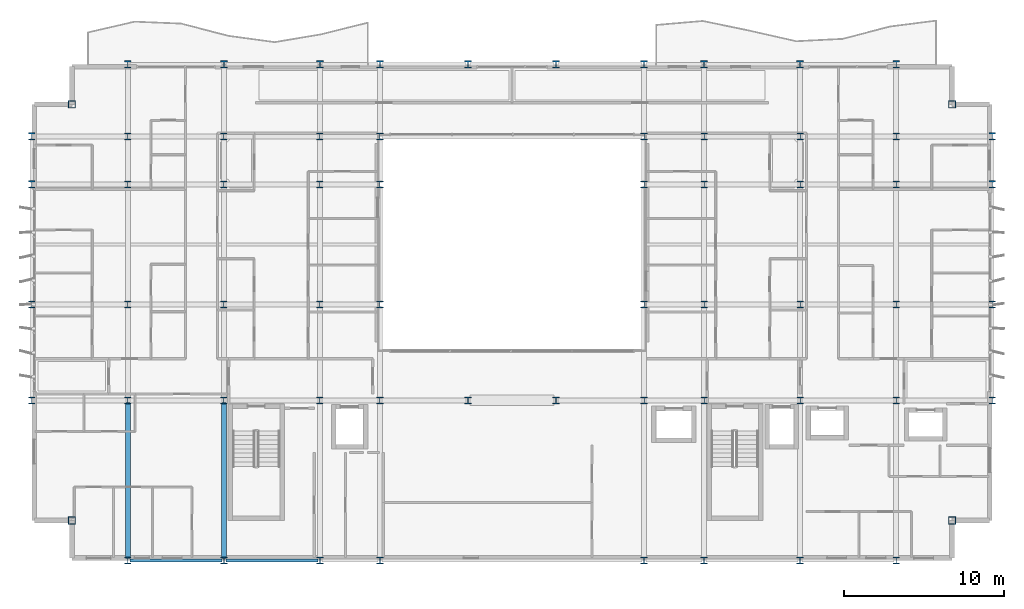
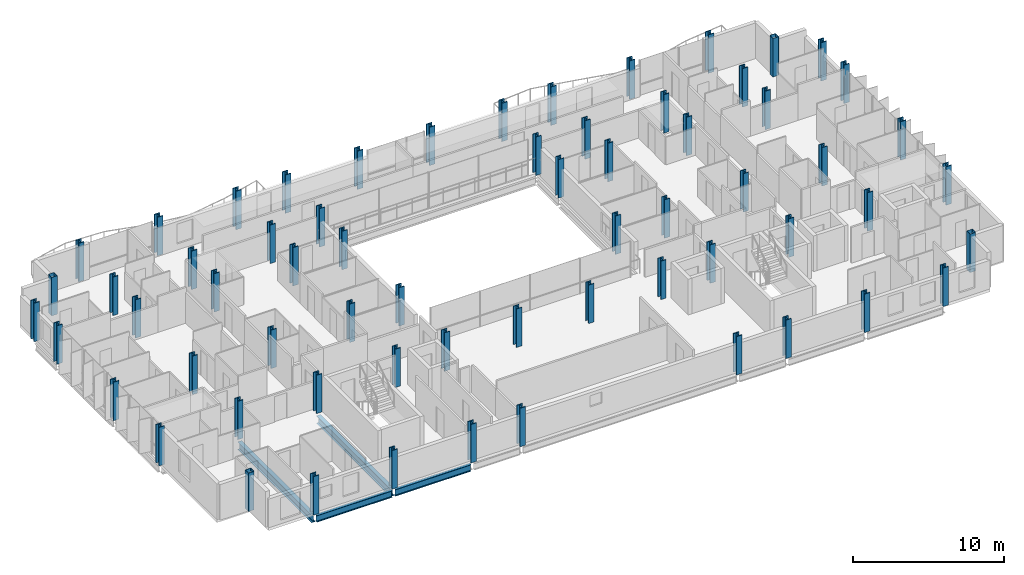
# One storey, part 1 of 38: 64 columns, 4 beams.
"""IFC4 building model written with IfcOpenShell, lengths in metres."""

import ifcopenshell
import ifcopenshell.guid

model = None  # the IFC model being written
_history = None  # IfcOwnerHistory: only IFC2X3 demands one
_inside = {}  # id of a spatial element -> (the spatial element, [elements in it])
_under = {}  # id of a project, library or spatial element -> (it, [spatial elements below it])
_declared = {}  # id of a project -> (the project, [libraries it declares])
_typed = {}  # id of a type object -> (the type object, [elements of that type])
_made_of = {}  # id of a material, layer set ... -> (it, [elements and type objects made of it])


def new_model(schema):
    """Start an empty IFC model of exactly this schema.

    Asked for "IFC4X3", IfcOpenShell would pick the latest addendum, in which some entities
    have other attributes; the version numbers below select the first issue.
    IFC2X3 requires an IfcOwnerHistory on every rooted entity: one is made here for all.
    """
    global model, _history
    if schema == "IFC4X3":
        model = ifcopenshell.file(schema_version=(4, 3, 0, 0))
    else:
        model = ifcopenshell.file(schema=schema)
    _inside.clear()
    _under.clear()
    _declared.clear()
    _typed.clear()
    _made_of.clear()
    _history = None
    if model.schema == "IFC2X3":
        org = make("IfcOrganization", Name="unknown")
        user = make(
            "IfcPersonAndOrganization",
            ThePerson=make("IfcPerson", FamilyName="unknown"),
            TheOrganization=org,
        )
        app = make(
            "IfcApplication",
            ApplicationDeveloper=org,
            Version="unknown",
            ApplicationFullName="unknown",
            ApplicationIdentifier="unknown",
        )
        _history = make(
            "IfcOwnerHistory",
            OwningUser=user,
            OwningApplication=app,
            ChangeAction="ADDED",
            CreationDate=0,
        )
    return model


def make(cls, **values):
    """One entity of the class cls with the attributes given. An attribute that is None is left unset."""
    return model.create_entity(
        cls, **{name: value for name, value in values.items() if value is not None}
    )


def rooted(cls, **values):
    """An entity with a GlobalId (a new one), such as an element, a storey or a relation."""
    return make(cls, GlobalId=ifcopenshell.guid.new(), OwnerHistory=_history, **values)


def si_unit(unit_type, name, prefix=None):
    """IfcSIUnit, for example si_unit("LENGTHUNIT", "METRE", prefix="MILLI")."""
    return make("IfcSIUnit", UnitType=unit_type, Prefix=prefix, Name=name)


def assignment(units):
    """IfcUnitAssignment: the units of a project."""
    return None if units is None else make("IfcUnitAssignment", Units=units)


def point(xyz):
    """IfcCartesianPoint."""
    return None if xyz is None else make("IfcCartesianPoint", Coordinates=xyz)


def direction(xyz):
    """IfcDirection."""
    return None if xyz is None else make("IfcDirection", DirectionRatios=xyz)


def frame(location, z_axis=None, x_axis=None):
    """IfcAxis2Placement3D, a coordinate frame: its origin and axes. An axis left out is left unset."""
    return make(
        "IfcAxis2Placement3D",
        Location=point(location),
        Axis=direction(z_axis),
        RefDirection=direction(x_axis),
    )


def frame_2d(location, x_axis=None):
    """IfcAxis2Placement2D, a coordinate frame in the plane: its origin and x axis."""
    return make(
        "IfcAxis2Placement2D", Location=point(location), RefDirection=direction(x_axis)
    )


def origin():
    """The frame at (0, 0, 0) with its axes left unset."""
    return frame((0.0, 0.0, 0.0))


def origin_2d():
    """The frame at (0, 0) in the plane with its x axis left unset."""
    return frame_2d((0.0, 0.0))


def place(relative_to, where):
    """IfcLocalPlacement: puts the frame where relative to a parent placement (None: the world)."""
    return make(
        "IfcLocalPlacement", PlacementRelTo=relative_to, RelativePlacement=where
    )


def context(
    kind, dimensions, precision=None, world=None, true_north=None, identifier=None
):
    """IfcGeometricRepresentationContext, for example the 3D "Model" context."""
    return make(
        "IfcGeometricRepresentationContext",
        ContextIdentifier=identifier,
        ContextType=kind,
        CoordinateSpaceDimension=dimensions,
        Precision=precision,
        WorldCoordinateSystem=world,
        TrueNorth=true_north,
    )


def subcontext(parent, identifier, kind, view, scale=None):
    """IfcGeometricRepresentationSubContext, for example "Body" below "Model"."""
    return make(
        "IfcGeometricRepresentationSubContext",
        ContextIdentifier=identifier,
        ContextType=kind,
        ParentContext=parent,
        TargetScale=scale,
        TargetView=view,
    )


def project(units=None, contexts=None):
    """IfcProject with its units and contexts."""
    return rooted(
        "IfcProject",
        Name="project",
        RepresentationContexts=contexts,
        UnitsInContext=assignment(units),
    )


def spatial(cls, under=None, at=None, **own):
    """A site, building, storey or space (cls), placed at a placement, below another one or the project."""
    s = rooted(cls, ObjectPlacement=at, **own)
    if under is not None:
        _under.setdefault(under.id(), (under, []))[1].append(s)
    return s


def profile(cls, at=None, kind="AREA", **sizes):
    """A parametric profile (cls). Its sizes go by their IFC names, for example OverallWidth=200.0."""
    return make(cls, ProfileType=kind, Position=at, **sizes)


def hollow_rectangle(**sizes):
    """IfcRectangleHollowProfileDef."""
    return profile("IfcRectangleHollowProfileDef", **sizes)


def i_section(**sizes):
    """IfcIShapeProfileDef."""
    return profile("IfcIShapeProfileDef", **sizes)


def extrude(swept, where, along, depth):
    """IfcExtrudedAreaSolid: the profile swept, set in the frame where, extruded along a direction by depth."""
    return make(
        "IfcExtrudedAreaSolid",
        SweptArea=swept,
        Position=where,
        ExtrudedDirection=direction(along),
        Depth=depth,
    )


def shape(context_of_items, identifier, shape_type, items):
    """IfcShapeRepresentation: the items that make up one representation, for example the "Body"."""
    return make(
        "IfcShapeRepresentation",
        ContextOfItems=context_of_items,
        RepresentationIdentifier=identifier,
        RepresentationType=shape_type,
        Items=items,
    )


def material(Name=None, Category=None):
    """IfcMaterial."""
    return make("IfcMaterial", Name=Name, Category=Category)


def material_profile(
    of_material, cross_section, Name=None, Category=None, Priority=None
):
    """IfcMaterialProfile: a cross section and its material."""
    return make(
        "IfcMaterialProfile",
        Name=Name,
        Material=of_material,
        Profile=cross_section,
        Priority=Priority,
        Category=Category,
    )


def profile_set(profiles, Name=None, composite=None):
    """IfcMaterialProfileSet."""
    return make(
        "IfcMaterialProfileSet",
        Name=Name,
        MaterialProfiles=profiles,
        CompositeProfile=composite,
    )


def made_of(thing, what):
    """Note that an element or type object is made of a material, layer set ...; save() writes the relation."""
    if what is not None:
        _made_of.setdefault(what.id(), (what, []))[1].append(thing)
    return thing


def type_object(cls, material=None, **own):
    """A type object (cls), such as IfcWallType, which elements share."""
    return made_of(rooted(cls, **own), material)


def element(
    cls,
    number,
    at=None,
    inside=None,
    cuts=None,
    type_object=None,
    material=None,
    context=None,
    identifier="Body",
    shape_type=None,
    held_by="IfcProductDefinitionShape",
    body=None,
    shapes=None,
    **own,
):
    """One element of the class cls, such as IfcWall. Its Tag is "e" and its number.

    at: its placement. inside: the storey or other place that contains it. cuts: it is an
    opening in that element (IfcRelVoidsElement). A single representation is given by context,
    identifier, shape_type and body (its items); several are given by shapes. held_by: the class
    of the entity that holds the representations. save() writes the other relations.
    """
    e = rooted(cls, Tag="e%d" % number, ObjectPlacement=at, **own)
    if body is not None:
        shapes = [shape(context, identifier, shape_type, body)]
    if shapes is not None:
        e.Representation = make(held_by, Representations=shapes)
    if inside is not None:
        _inside.setdefault(inside.id(), (inside, []))[1].append(e)
    if cuts is not None:
        rooted(
            "IfcRelVoidsElement", RelatingBuildingElement=cuts, RelatedOpeningElement=e
        )
    if type_object is not None:
        _typed.setdefault(type_object.id(), (type_object, []))[1].append(e)
    return made_of(e, material)


def aggregate(whole, parts):
    """IfcRelAggregates: a whole, such as a stair, and the parts it consists of."""
    return rooted("IfcRelAggregates", RelatingObject=whole, RelatedObjects=parts)


def save(model, path):
    """Write the relations noted so far, then the file.

    IfcRelAggregates (storeys below a building ...), IfcRelContainedInSpatialStructure (elements
    in a storey), IfcRelDefinesByType, IfcRelAssociatesMaterial and IfcRelDeclares: one each for
    every whole, place, type object, material and project.
    """
    for whole, parts in _under.values():
        aggregate(whole, parts)
    for where, things in _inside.values():
        rooted(
            "IfcRelContainedInSpatialStructure",
            RelatedElements=things,
            RelatingStructure=where,
        )
    for kind, things in _typed.values():
        rooted("IfcRelDefinesByType", RelatedObjects=things, RelatingType=kind)
    for what, things in _made_of.values():
        rooted("IfcRelAssociatesMaterial", RelatedObjects=things, RelatingMaterial=what)
    for by, libraries in _declared.values():
        rooted("IfcRelDeclares", RelatingContext=by, RelatedDefinitions=libraries)
    model.write(path)


model = new_model("IFC4")

# Units and contexts
model_context = context("Model", 3, precision=1e-05, world=origin(), true_north=direction((0.0, 1.0)))
body_context = subcontext(model_context, "Body", "Model", "MODEL_VIEW")
ifc_project = project(units=[si_unit("LENGTHUNIT", "METRE"), si_unit("AREAUNIT", "SQUARE_METRE"), si_unit("VOLUMEUNIT", "CUBIC_METRE"), si_unit("PLANEANGLEUNIT", "RADIAN"), si_unit("MASSUNIT", "GRAM", prefix="KILO")], contexts=[model_context])

# Site, building, storey
site_placement = place(None, origin())
site = spatial("IfcSite", under=ifc_project, at=site_placement, CompositionType="ELEMENT")
building_placement = place(site_placement, origin())
building = spatial("IfcBuilding", under=site, at=building_placement, Name="Brevholm Reach", CompositionType="ELEMENT")
storey_placement = place(building_placement, frame((0.0, 0.0, 71.39990234375)))
storey = spatial("IfcBuildingStorey", under=building, at=storey_placement, Name="L20", CompositionType="ELEMENT", Elevation=71.39990234375)

# Columns
ifc_material_1 = material(Name="Structural Steel S460NH", Category="steel")
ifc_material_profile_1 = material_profile(ifc_material_1, hollow_rectangle(XDim=0.449951171875, YDim=0.449951171875, WallThickness=0.02490234375, InnerFilletRadius=0.011962890625, OuterFilletRadius=0.02392578125, at=origin_2d()), Name="SHS 450x450x25")
ifc_profile_set_1 = profile_set([ifc_material_profile_1], Name="Structural Steel S460NH")
column_type_1 = type_object("IfcColumnType", Name="COL-SHS1", PredefinedType="COLUMN", material=ifc_profile_set_1)
for number, where, z_axis, x_axis, name in (
    (1, (2.5, 2.5, 0.0), (0.0, 0.0, 1.0), (1.0, 0.0, 0.0), "L20 Column 05"),
    (2, (2.5, 28.5, 0.0), (0.0, 0.0, 1.0), (1.0, 0.0, 0.0), "L20 Column 06"),
    (3, (57.5, 2.5, 0.0), (0.0, 0.0, 1.0), (1.0, 0.0, 0.0), "L20 Column 59"),
    (4, (57.5, 28.5, 0.0), (0.0, 0.0, 1.0), (1.0, 0.0, 0.0), "L20 Column 60"),
):
    element("IfcColumn", number, at=place(storey_placement, frame(where, z_axis=z_axis, x_axis=x_axis)), inside=storey, type_object=column_type_1, Name=name, PredefinedType="COLUMN", context=body_context, shape_type="SweptSolid", body=[
        extrude(hollow_rectangle(XDim=0.449951171875, YDim=0.449951171875, WallThickness=0.02490234375, InnerFilletRadius=0.011962890625, OuterFilletRadius=0.02392578125, at=origin_2d()), origin(), (0.0, 0.0, 1.0), 3.10009765625),
    ])
ifc_material_2 = material(Name="Structural Steel S460ML", Category="steel")
ifc_material_profile_2 = material_profile(ifc_material_2, i_section(OverallWidth=0.41845703125, OverallDepth=0.45556640625, WebThickness=0.0419921875, FlangeThickness=0.0673828125, FilletRadius=0.01513671875, at=origin_2d()), Name="UKC 356x406x551")
ifc_profile_set_2 = profile_set([ifc_material_profile_2], Name="Structural Steel S460ML")
column_type_2 = type_object("IfcColumnType", Name="COL-UC2", PredefinedType="COLUMN", material=ifc_profile_set_2)
for number, where, z_axis, x_axis, name in (
    (5, (0.0, 10.0, 0.0), (0.0, 0.0, 1.0), (1.0, 0.0, 0.0), "L20 Column 01"),
    (6, (0.0, 16.0, 0.0), (0.0, 0.0, 1.0), (1.0, 0.0, 0.0), "L20 Column 02"),
    (7, (0.0, 23.5, 0.0), (0.0, 0.0, 1.0), (1.0, 0.0, 0.0), "L20 Column 03"),
    (8, (0.0, 26.5, 0.0), (0.0, 0.0, 1.0), (1.0, 0.0, 0.0), "L20 Column 04"),
    (9, (6.0, 0.0, 0.0), (0.0, 0.0, 1.0), (1.0, 0.0, 0.0), "L20 Column 07"),
    (10, (6.0, 31.0, 0.0), (0.0, 0.0, 1.0), (1.0, 0.0, 0.0), "L20 Column 12"),
    (11, (12.0, 0.0, 0.0), (0.0, 0.0, 1.0), (1.0, 0.0, 0.0), "L20 Column 13"),
    (12, (12.0, 31.0, 0.0), (0.0, 0.0, 1.0), (1.0, 0.0, 0.0), "L20 Column 18"),
    (13, (18.0, 0.0, 0.0), (0.0, 0.0, 1.0), (1.0, 0.0, 0.0), "L20 Column 19"),
    (14, (18.0, 31.0, 0.0), (0.0, 0.0, 1.0), (1.0, 0.0, 0.0), "L20 Column 24"),
    (15, (21.75, 0.0, 0.0), (0.0, 0.0, 1.0), (1.0, 0.0, 0.0), "L20 Column 25"),
    (16, (21.75, 31.0, 0.0), (0.0, 0.0, 1.0), (1.0, 0.0, 0.0), "L20 Column 30"),
    (17, (27.25, 31.0, 0.0), (0.0, 0.0, 1.0), (1.0, 0.0, 0.0), "L20 Column 32"),
    (18, (32.75, 31.0, 0.0), (0.0, 0.0, 1.0), (1.0, 0.0, 0.0), "L20 Column 34"),
    (19, (38.25, 0.0, 0.0), (0.0, 0.0, 1.0), (1.0, 0.0, 0.0), "L20 Column 35"),
    (20, (38.25, 31.0, 0.0), (0.0, 0.0, 1.0), (1.0, 0.0, 0.0), "L20 Column 40"),
    (21, (42.0, 0.0, 0.0), (0.0, 0.0, 1.0), (1.0, 0.0, 0.0), "L20 Column 41"),
    (22, (42.0, 31.0, 0.0), (0.0, 0.0, 1.0), (1.0, 0.0, 0.0), "L20 Column 46"),
    (23, (48.0, 0.0, 0.0), (0.0, 0.0, 1.0), (1.0, 0.0, 0.0), "L20 Column 47"),
    (24, (48.0, 31.0, 0.0), (0.0, 0.0, 1.0), (1.0, 0.0, 0.0), "L20 Column 52"),
    (25, (54.0, 0.0, 0.0), (0.0, 0.0, 1.0), (1.0, 0.0, 0.0), "L20 Column 53"),
    (26, (54.0, 31.0, 0.0), (0.0, 0.0, 1.0), (1.0, 0.0, 0.0), "L20 Column 58"),
    (27, (60.0, 10.0, 0.0), (0.0, 0.0, 1.0), (1.0, 0.0, 0.0), "L20 Column 61"),
    (28, (60.0, 16.0, 0.0), (0.0, 0.0, 1.0), (1.0, 0.0, 0.0), "L20 Column 62"),
    (29, (60.0, 23.5, 0.0), (0.0, 0.0, 1.0), (1.0, 0.0, 0.0), "L20 Column 63"),
    (30, (60.0, 26.5, 0.0), (0.0, 0.0, 1.0), (1.0, 0.0, 0.0), "L20 Column 64"),
):
    element("IfcColumn", number, at=place(storey_placement, frame(where, z_axis=z_axis, x_axis=x_axis)), inside=storey, type_object=column_type_2, Name=name, PredefinedType="COLUMN", context=body_context, shape_type="SweptSolid", body=[
        extrude(i_section(OverallWidth=0.41845703125, OverallDepth=0.45556640625, WebThickness=0.0419921875, FlangeThickness=0.0673828125, FilletRadius=0.01513671875, at=origin_2d()), origin(), (0.0, 0.0, 1.0), 3.10009765625),
    ])
ifc_material_3 = material(Name="Structural Steel S460ML", Category="steel")
ifc_material_profile_3 = material_profile(ifc_material_3, i_section(OverallWidth=0.412109375, OverallDepth=0.4365234375, WebThickness=0.035888671875, FlangeThickness=0.05810546875, FilletRadius=0.01513671875, at=origin_2d()), Name="UKC 356x406x467")
ifc_profile_set_3 = profile_set([ifc_material_profile_3], Name="Structural Steel S460ML")
column_type_3 = type_object("IfcColumnType", Name="COL-UC3", PredefinedType="COLUMN", material=ifc_profile_set_3)
for number, where, z_axis, x_axis, name in (
    (31, (6.0, 10.0, 0.0), (0.0, 0.0, 1.0), (1.0, 0.0, 0.0), "L20 Column 08"),
    (32, (6.0, 16.0, 0.0), (0.0, 0.0, 1.0), (1.0, 0.0, 0.0), "L20 Column 09"),
    (33, (6.0, 23.5, 0.0), (0.0, 0.0, 1.0), (1.0, 0.0, 0.0), "L20 Column 10"),
    (34, (6.0, 26.5, 0.0), (0.0, 0.0, 1.0), (1.0, 0.0, 0.0), "L20 Column 11"),
    (35, (12.0, 10.0, 0.0), (0.0, 0.0, 1.0), (1.0, 0.0, 0.0), "L20 Column 14"),
    (36, (12.0, 16.0, 0.0), (0.0, 0.0, 1.0), (1.0, 0.0, 0.0), "L20 Column 15"),
    (37, (12.0, 23.5, 0.0), (0.0, 0.0, 1.0), (1.0, 0.0, 0.0), "L20 Column 16"),
    (38, (12.0, 26.5, 0.0), (0.0, 0.0, 1.0), (1.0, 0.0, 0.0), "L20 Column 17"),
    (39, (18.0, 10.0, 0.0), (0.0, 0.0, 1.0), (1.0, 0.0, 0.0), "L20 Column 20"),
    (40, (18.0, 16.0, 0.0), (0.0, 0.0, 1.0), (1.0, 0.0, 0.0), "L20 Column 21"),
    (41, (18.0, 23.5, 0.0), (0.0, 0.0, 1.0), (1.0, 0.0, 0.0), "L20 Column 22"),
    (42, (18.0, 26.5, 0.0), (0.0, 0.0, 1.0), (1.0, 0.0, 0.0), "L20 Column 23"),
    (43, (21.75, 10.0, 0.0), (0.0, 0.0, 1.0), (1.0, 0.0, 0.0), "L20 Column 26"),
    (44, (21.75, 16.0, 0.0), (0.0, 0.0, 1.0), (1.0, 0.0, 0.0), "L20 Column 27"),
    (45, (21.75, 23.5, 0.0), (0.0, 0.0, 1.0), (1.0, 0.0, 0.0), "L20 Column 28"),
    (46, (21.75, 26.5, 0.0), (0.0, 0.0, 1.0), (1.0, 0.0, 0.0), "L20 Column 29"),
    (47, (27.25, 10.0, 0.0), (0.0, 0.0, 1.0), (1.0, 0.0, 0.0), "L20 Column 31"),
    (48, (32.75, 10.0, 0.0), (0.0, 0.0, 1.0), (1.0, 0.0, 0.0), "L20 Column 33"),
    (49, (38.25, 10.0, 0.0), (0.0, 0.0, 1.0), (1.0, 0.0, 0.0), "L20 Column 36"),
    (50, (38.25, 16.0, 0.0), (0.0, 0.0, 1.0), (1.0, 0.0, 0.0), "L20 Column 37"),
    (51, (38.25, 23.5, 0.0), (0.0, 0.0, 1.0), (1.0, 0.0, 0.0), "L20 Column 38"),
    (52, (38.25, 26.5, 0.0), (0.0, 0.0, 1.0), (1.0, 0.0, 0.0), "L20 Column 39"),
    (53, (42.0, 10.0, 0.0), (0.0, 0.0, 1.0), (1.0, 0.0, 0.0), "L20 Column 42"),
    (54, (42.0, 16.0, 0.0), (0.0, 0.0, 1.0), (1.0, 0.0, 0.0), "L20 Column 43"),
    (55, (42.0, 23.5, 0.0), (0.0, 0.0, 1.0), (1.0, 0.0, 0.0), "L20 Column 44"),
    (56, (42.0, 26.5, 0.0), (0.0, 0.0, 1.0), (1.0, 0.0, 0.0), "L20 Column 45"),
    (57, (48.0, 10.0, 0.0), (0.0, 0.0, 1.0), (1.0, 0.0, 0.0), "L20 Column 48"),
    (58, (48.0, 16.0, 0.0), (0.0, 0.0, 1.0), (1.0, 0.0, 0.0), "L20 Column 49"),
    (59, (48.0, 23.5, 0.0), (0.0, 0.0, 1.0), (1.0, 0.0, 0.0), "L20 Column 50"),
    (60, (48.0, 26.5, 0.0), (0.0, 0.0, 1.0), (1.0, 0.0, 0.0), "L20 Column 51"),
    (61, (54.0, 10.0, 0.0), (0.0, 0.0, 1.0), (1.0, 0.0, 0.0), "L20 Column 54"),
    (62, (54.0, 16.0, 0.0), (0.0, 0.0, 1.0), (1.0, 0.0, 0.0), "L20 Column 55"),
    (63, (54.0, 23.5, 0.0), (0.0, 0.0, 1.0), (1.0, 0.0, 0.0), "L20 Column 56"),
    (64, (54.0, 26.5, 0.0), (0.0, 0.0, 1.0), (1.0, 0.0, 0.0), "L20 Column 57"),
):
    element("IfcColumn", number, at=place(storey_placement, frame(where, z_axis=z_axis, x_axis=x_axis)), inside=storey, type_object=column_type_3, Name=name, PredefinedType="COLUMN", context=body_context, shape_type="SweptSolid", body=[
        extrude(i_section(OverallWidth=0.412109375, OverallDepth=0.4365234375, WebThickness=0.035888671875, FlangeThickness=0.05810546875, FilletRadius=0.01513671875, at=origin_2d()), origin(), (0.0, 0.0, 1.0), 3.10009765625),
    ])

# Beams
ifc_material_4 = material(Name="Structural Steel S355J2", Category="steel")
ifc_material_profile_4 = material_profile(ifc_material_4, i_section(OverallWidth=0.210693359375, OverallDepth=0.53955078125, WebThickness=0.01171875, FlangeThickness=0.018798828125, FilletRadius=0.0126953125, at=origin_2d()), Name="UKB 533x210x109")
ifc_profile_set_4 = profile_set([ifc_material_profile_4], Name="Structural Steel S355J2")
beam_type_1 = type_object("IfcBeamType", Name="BM-SP539", PredefinedType="SPANDREL", material=ifc_profile_set_4)
for number, where, z_axis, x_axis, name in (
    (65, (6.1201171875, 0.0, -0.499755859375), (1.0, 0.0, 0.0), (0.0, 1.0, 0.0), "L20 SP-01B Framing Beam"),
    (66, (12.1201171875, 0.0, -0.499755859375), (1.0, 0.0, 0.0), (0.0, 1.0, 0.0), "L20 SP-01B Framing Beam"),
):
    element("IfcBeam", number, at=place(storey_placement, frame(where, z_axis=z_axis, x_axis=x_axis)), inside=storey, type_object=beam_type_1, Name=name, PredefinedType="SPANDREL", context=body_context, shape_type="SweptSolid", body=[
        extrude(i_section(OverallWidth=0.210693359375, OverallDepth=0.53955078125, WebThickness=0.01171875, FlangeThickness=0.018798828125, FilletRadius=0.0126953125, at=origin_2d()), origin(), (0.0, 0.0, 1.0), 5.759765625),
    ])
ifc_material_5 = material(Name="Structural Steel S355J2", Category="steel")
ifc_material_profile_5 = material_profile(ifc_material_5, i_section(OverallWidth=0.30712890625, OverallDepth=0.6201171875, WebThickness=0.01416015625, FlangeThickness=0.023681640625, FilletRadius=0.0166015625, at=origin_2d()), Name="UKB 610x305x179")
ifc_profile_set_5 = profile_set([ifc_material_profile_5], Name="Structural Steel S355J2")
beam_type_2 = type_object("IfcBeamType", Name="BM-UKB610H", PredefinedType="USERDEFINED", material=ifc_profile_set_5)
for number, where, z_axis, x_axis, name in (
    (67, (6.0, 0.1201171875, -0.5400390625), (0.0, 1.0, 0.0), (-1.0, 0.0, 0.0), "L20 G-06 Framing Beam"),
    (68, (12.0, 0.1201171875, -0.5400390625), (0.0, 1.0, 0.0), (-1.0, 0.0, 0.0), "L20 G-06 Framing Beam"),
):
    element("IfcBeam", number, at=place(storey_placement, frame(where, z_axis=z_axis, x_axis=x_axis)), inside=storey, type_object=beam_type_2, Name=name, ObjectType="GIRDER", PredefinedType="USERDEFINED", context=body_context, shape_type="SweptSolid", body=[
        extrude(i_section(OverallWidth=0.30712890625, OverallDepth=0.6201171875, WebThickness=0.01416015625, FlangeThickness=0.023681640625, FilletRadius=0.0166015625, at=origin_2d()), origin(), (0.0, 0.0, 1.0), 9.759765625),
    ])

save(model, "model.ifc")
